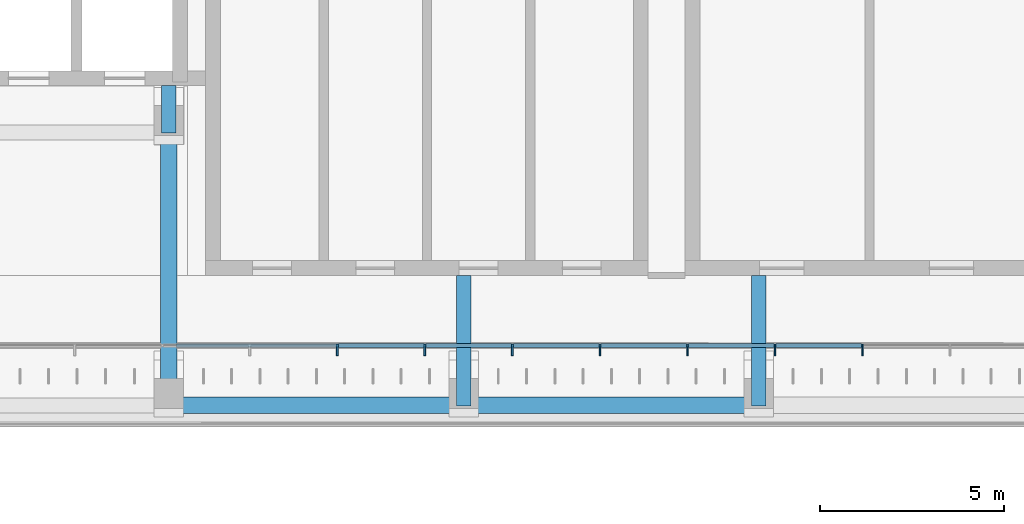
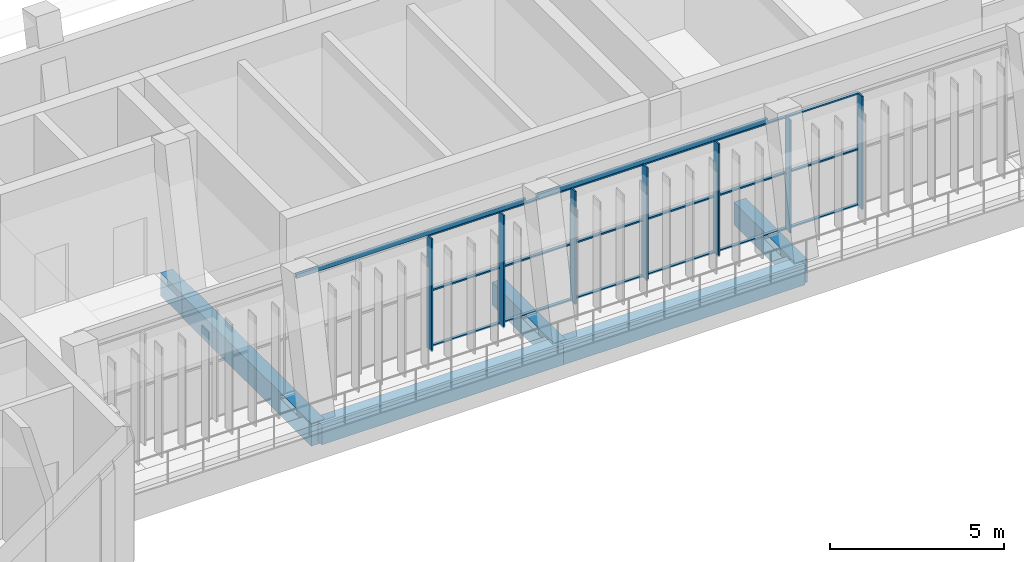
# One storey, part 33 of 89: 25 members, 8 beams, 1 element without a shape of its own.
"""IFC4 building model written with IfcOpenShell, lengths in metres."""

import ifcopenshell
import ifcopenshell.guid

model = None  # the IFC model being written
_history = None  # IfcOwnerHistory: only IFC2X3 demands one
_inside = {}  # id of a spatial element -> (the spatial element, [elements in it])
_under = {}  # id of a project, library or spatial element -> (it, [spatial elements below it])
_declared = {}  # id of a project -> (the project, [libraries it declares])
_typed = {}  # id of a type object -> (the type object, [elements of that type])
_made_of = {}  # id of a material, layer set ... -> (it, [elements and type objects made of it])


def new_model(schema):
    """Start an empty IFC model of exactly this schema.

    Asked for "IFC4X3", IfcOpenShell would pick the latest addendum, in which some entities
    have other attributes; the version numbers below select the first issue.
    IFC2X3 requires an IfcOwnerHistory on every rooted entity: one is made here for all.
    """
    global model, _history
    if schema == "IFC4X3":
        model = ifcopenshell.file(schema_version=(4, 3, 0, 0))
    else:
        model = ifcopenshell.file(schema=schema)
    _inside.clear()
    _under.clear()
    _declared.clear()
    _typed.clear()
    _made_of.clear()
    _history = None
    if model.schema == "IFC2X3":
        org = make("IfcOrganization", Name="unknown")
        user = make(
            "IfcPersonAndOrganization",
            ThePerson=make("IfcPerson", FamilyName="unknown"),
            TheOrganization=org,
        )
        app = make(
            "IfcApplication",
            ApplicationDeveloper=org,
            Version="unknown",
            ApplicationFullName="unknown",
            ApplicationIdentifier="unknown",
        )
        _history = make(
            "IfcOwnerHistory",
            OwningUser=user,
            OwningApplication=app,
            ChangeAction="ADDED",
            CreationDate=0,
        )
    return model


def make(cls, **values):
    """One entity of the class cls with the attributes given. An attribute that is None is left unset."""
    return model.create_entity(
        cls, **{name: value for name, value in values.items() if value is not None}
    )


def rooted(cls, **values):
    """An entity with a GlobalId (a new one), such as an element, a storey or a relation."""
    return make(cls, GlobalId=ifcopenshell.guid.new(), OwnerHistory=_history, **values)


def si_unit(unit_type, name, prefix=None):
    """IfcSIUnit, for example si_unit("LENGTHUNIT", "METRE", prefix="MILLI")."""
    return make("IfcSIUnit", UnitType=unit_type, Prefix=prefix, Name=name)


def assignment(units):
    """IfcUnitAssignment: the units of a project."""
    return None if units is None else make("IfcUnitAssignment", Units=units)


def point(xyz):
    """IfcCartesianPoint."""
    return None if xyz is None else make("IfcCartesianPoint", Coordinates=xyz)


def direction(xyz):
    """IfcDirection."""
    return None if xyz is None else make("IfcDirection", DirectionRatios=xyz)


def frame(location, z_axis=None, x_axis=None):
    """IfcAxis2Placement3D, a coordinate frame: its origin and axes. An axis left out is left unset."""
    return make(
        "IfcAxis2Placement3D",
        Location=point(location),
        Axis=direction(z_axis),
        RefDirection=direction(x_axis),
    )


def frame_2d(location, x_axis=None):
    """IfcAxis2Placement2D, a coordinate frame in the plane: its origin and x axis."""
    return make(
        "IfcAxis2Placement2D", Location=point(location), RefDirection=direction(x_axis)
    )


def origin():
    """The frame at (0, 0, 0) with its axes left unset."""
    return frame((0.0, 0.0, 0.0))


def origin_2d():
    """The frame at (0, 0) in the plane with its x axis left unset."""
    return frame_2d((0.0, 0.0))


def place(relative_to, where):
    """IfcLocalPlacement: puts the frame where relative to a parent placement (None: the world)."""
    return make(
        "IfcLocalPlacement", PlacementRelTo=relative_to, RelativePlacement=where
    )


def context(
    kind, dimensions, precision=None, world=None, true_north=None, identifier=None
):
    """IfcGeometricRepresentationContext, for example the 3D "Model" context."""
    return make(
        "IfcGeometricRepresentationContext",
        ContextIdentifier=identifier,
        ContextType=kind,
        CoordinateSpaceDimension=dimensions,
        Precision=precision,
        WorldCoordinateSystem=world,
        TrueNorth=true_north,
    )


def subcontext(parent, identifier, kind, view, scale=None):
    """IfcGeometricRepresentationSubContext, for example "Body" below "Model"."""
    return make(
        "IfcGeometricRepresentationSubContext",
        ContextIdentifier=identifier,
        ContextType=kind,
        ParentContext=parent,
        TargetScale=scale,
        TargetView=view,
    )


def project(units=None, contexts=None):
    """IfcProject with its units and contexts."""
    return rooted(
        "IfcProject",
        Name="project",
        RepresentationContexts=contexts,
        UnitsInContext=assignment(units),
    )


def spatial(cls, under=None, at=None, **own):
    """A site, building, storey or space (cls), placed at a placement, below another one or the project."""
    s = rooted(cls, ObjectPlacement=at, **own)
    if under is not None:
        _under.setdefault(under.id(), (under, []))[1].append(s)
    return s


def profile(cls, at=None, kind="AREA", **sizes):
    """A parametric profile (cls). Its sizes go by their IFC names, for example OverallWidth=200.0."""
    return make(cls, ProfileType=kind, Position=at, **sizes)


def rectangle(**sizes):
    """IfcRectangleProfileDef."""
    return profile("IfcRectangleProfileDef", **sizes)


def hollow_rectangle(**sizes):
    """IfcRectangleHollowProfileDef."""
    return profile("IfcRectangleHollowProfileDef", **sizes)


def extrude(swept, where, along, depth):
    """IfcExtrudedAreaSolid: the profile swept, set in the frame where, extruded along a direction by depth."""
    return make(
        "IfcExtrudedAreaSolid",
        SweptArea=swept,
        Position=where,
        ExtrudedDirection=direction(along),
        Depth=depth,
    )


def shape(context_of_items, identifier, shape_type, items):
    """IfcShapeRepresentation: the items that make up one representation, for example the "Body"."""
    return make(
        "IfcShapeRepresentation",
        ContextOfItems=context_of_items,
        RepresentationIdentifier=identifier,
        RepresentationType=shape_type,
        Items=items,
    )


def material(Name=None, Category=None):
    """IfcMaterial."""
    return make("IfcMaterial", Name=Name, Category=Category)


def material_profile(
    of_material, cross_section, Name=None, Category=None, Priority=None
):
    """IfcMaterialProfile: a cross section and its material."""
    return make(
        "IfcMaterialProfile",
        Name=Name,
        Material=of_material,
        Profile=cross_section,
        Priority=Priority,
        Category=Category,
    )


def profile_set(profiles, Name=None, composite=None):
    """IfcMaterialProfileSet."""
    return make(
        "IfcMaterialProfileSet",
        Name=Name,
        MaterialProfiles=profiles,
        CompositeProfile=composite,
    )


def made_of(thing, what):
    """Note that an element or type object is made of a material, layer set ...; save() writes the relation."""
    if what is not None:
        _made_of.setdefault(what.id(), (what, []))[1].append(thing)
    return thing


def type_object(cls, material=None, **own):
    """A type object (cls), such as IfcWallType, which elements share."""
    return made_of(rooted(cls, **own), material)


def element(
    cls,
    number,
    at=None,
    inside=None,
    cuts=None,
    type_object=None,
    material=None,
    context=None,
    identifier="Body",
    shape_type=None,
    held_by="IfcProductDefinitionShape",
    body=None,
    shapes=None,
    **own,
):
    """One element of the class cls, such as IfcWall. Its Tag is "e" and its number.

    at: its placement. inside: the storey or other place that contains it. cuts: it is an
    opening in that element (IfcRelVoidsElement). A single representation is given by context,
    identifier, shape_type and body (its items); several are given by shapes. held_by: the class
    of the entity that holds the representations. save() writes the other relations.
    """
    e = rooted(cls, Tag="e%d" % number, ObjectPlacement=at, **own)
    if body is not None:
        shapes = [shape(context, identifier, shape_type, body)]
    if shapes is not None:
        e.Representation = make(held_by, Representations=shapes)
    if inside is not None:
        _inside.setdefault(inside.id(), (inside, []))[1].append(e)
    if cuts is not None:
        rooted(
            "IfcRelVoidsElement", RelatingBuildingElement=cuts, RelatedOpeningElement=e
        )
    if type_object is not None:
        _typed.setdefault(type_object.id(), (type_object, []))[1].append(e)
    return made_of(e, material)


def aggregate(whole, parts):
    """IfcRelAggregates: a whole, such as a stair, and the parts it consists of."""
    return rooted("IfcRelAggregates", RelatingObject=whole, RelatedObjects=parts)


def save(model, path):
    """Write the relations noted so far, then the file.

    IfcRelAggregates (storeys below a building ...), IfcRelContainedInSpatialStructure (elements
    in a storey), IfcRelDefinesByType, IfcRelAssociatesMaterial and IfcRelDeclares: one each for
    every whole, place, type object, material and project.
    """
    for whole, parts in _under.values():
        aggregate(whole, parts)
    for where, things in _inside.values():
        rooted(
            "IfcRelContainedInSpatialStructure",
            RelatedElements=things,
            RelatingStructure=where,
        )
    for kind, things in _typed.values():
        rooted("IfcRelDefinesByType", RelatedObjects=things, RelatingType=kind)
    for what, things in _made_of.values():
        rooted("IfcRelAssociatesMaterial", RelatedObjects=things, RelatingMaterial=what)
    for by, libraries in _declared.values():
        rooted("IfcRelDeclares", RelatingContext=by, RelatedDefinitions=libraries)
    model.write(path)


model = new_model("IFC4")

# Units and contexts
model_context = context("Model", 3, precision=1e-05, world=origin(), true_north=direction((0.0, 1.0)))
body_context = subcontext(model_context, "Body", "Model", "MODEL_VIEW")
ifc_project = project(units=[si_unit("LENGTHUNIT", "METRE"), si_unit("AREAUNIT", "SQUARE_METRE"), si_unit("VOLUMEUNIT", "CUBIC_METRE"), si_unit("PLANEANGLEUNIT", "RADIAN"), si_unit("MASSUNIT", "GRAM", prefix="KILO")], contexts=[model_context])

# Site, building, storey
site_placement = place(None, origin())
site = spatial("IfcSite", under=ifc_project, at=site_placement, CompositionType="ELEMENT")
building_placement = place(site_placement, origin())
building = spatial("IfcBuilding", under=site, at=building_placement, Name="Lantern Court Media Centre", CompositionType="ELEMENT")
storey_placement = place(building_placement, frame((0.0, 0.0, 14.39990234375)))
storey = spatial("IfcBuildingStorey", under=building, at=storey_placement, Name="L03", CompositionType="ELEMENT", Elevation=14.39990234375)

# Curtain wall, members
ifc_material_1 = material(Name="Curtain wall bay 2400")
curtain_wall_type = type_object("IfcCurtainWallType", Name="Curtain wall bay 2400", PredefinedType="NOTDEFINED", material=ifc_material_1)
curtain_wall_placement = place(storey_placement, origin())
curtain_wall = element("IfcCurtainWall", 1, at=curtain_wall_placement, inside=storey, type_object=curtain_wall_type, Name="Curtain wall N inner L03", PredefinedType="NOTDEFINED")
ifc_material_2 = material(Name="Anodised aluminium", Category="aluminium")
ifc_material_profile_1 = material_profile(ifc_material_2, rectangle(XDim=0.300048828125, YDim=0.050048828125, at=origin_2d()), Name="AL 50x300")
ifc_profile_set_1 = profile_set([ifc_material_profile_1], Name="Anodised aluminium")
member_type_1 = type_object("IfcMemberType", Name="Curtain wall mullion 50x300", PredefinedType="MULLION", material=ifc_profile_set_1)
member_1_placement = place(storey_placement, frame((36.569580078125, 101.030029296875, 0.0), z_axis=(0.0, 0.0, 1.0), x_axis=(0.0, 1.0, 0.0)))
member_1 = element("IfcMember", 2, at=member_1_placement, type_object=member_type_1, Name="CW2 mullion 6", PredefinedType="MULLION", context=body_context, shape_type="SweptSolid", body=[
    extrude(rectangle(XDim=0.300048828125, YDim=0.050048828125, at=origin_2d()), origin(), (0.0, 0.0, 1.0), 3.9501953125),
])
member_2_placement = place(storey_placement, frame((38.943359375, 101.030029296875, 0.0), z_axis=(0.0, 0.0, 1.0), x_axis=(0.0, 1.0, 0.0)))
member_2 = element("IfcMember", 3, at=member_2_placement, type_object=member_type_1, Name="CW2 mullion 7", PredefinedType="MULLION", context=body_context, shape_type="SweptSolid", body=[
    extrude(rectangle(XDim=0.300048828125, YDim=0.050048828125, at=origin_2d()), origin(), (0.0, 0.0, 1.0), 3.9501953125),
])
member_3_placement = place(storey_placement, frame((41.3173828125, 101.030029296875, 0.0), z_axis=(0.0, 0.0, 1.0), x_axis=(0.0, 1.0, 0.0)))
member_3 = element("IfcMember", 4, at=member_3_placement, type_object=member_type_1, Name="CW2 mullion 8", PredefinedType="MULLION", context=body_context, shape_type="SweptSolid", body=[
    extrude(rectangle(XDim=0.300048828125, YDim=0.050048828125, at=origin_2d()), origin(), (0.0, 0.0, 1.0), 3.9501953125),
])
member_4_placement = place(storey_placement, frame((43.69140625, 101.030029296875, 0.0), z_axis=(0.0, 0.0, 1.0), x_axis=(0.0, 1.0, 0.0)))
member_4 = element("IfcMember", 5, at=member_4_placement, type_object=member_type_1, Name="CW2 mullion 9", PredefinedType="MULLION", context=body_context, shape_type="SweptSolid", body=[
    extrude(rectangle(XDim=0.300048828125, YDim=0.050048828125, at=origin_2d()), origin(), (0.0, 0.0, 1.0), 3.9501953125),
])
member_5_placement = place(storey_placement, frame((46.065185546875, 101.030029296875, 0.0), z_axis=(0.0, 0.0, 1.0), x_axis=(0.0, 1.0, 0.0)))
member_5 = element("IfcMember", 6, at=member_5_placement, type_object=member_type_1, Name="CW2 mullion 10", PredefinedType="MULLION", context=body_context, shape_type="SweptSolid", body=[
    extrude(rectangle(XDim=0.300048828125, YDim=0.050048828125, at=origin_2d()), origin(), (0.0, 0.0, 1.0), 3.9501953125),
])
member_6_placement = place(storey_placement, frame((48.439208984375, 101.030029296875, 0.0), z_axis=(0.0, 0.0, 1.0), x_axis=(0.0, 1.0, 0.0)))
member_6 = element("IfcMember", 7, at=member_6_placement, type_object=member_type_1, Name="CW2 mullion 11", PredefinedType="MULLION", context=body_context, shape_type="SweptSolid", body=[
    extrude(rectangle(XDim=0.300048828125, YDim=0.050048828125, at=origin_2d()), origin(), (0.0, 0.0, 1.0), 3.9501953125),
])
member_7_placement = place(storey_placement, frame((50.81298828125, 101.030029296875, 0.0), z_axis=(0.0, 0.0, 1.0), x_axis=(0.0, 1.0, 0.0)))
member_7 = element("IfcMember", 8, at=member_7_placement, type_object=member_type_1, Name="CW2 mullion 12", PredefinedType="MULLION", context=body_context, shape_type="SweptSolid", body=[
    extrude(rectangle(XDim=0.300048828125, YDim=0.050048828125, at=origin_2d()), origin(), (0.0, 0.0, 1.0), 3.9501953125),
])
ifc_material_profile_2 = material_profile(ifc_material_2, rectangle(XDim=0.10009765625, YDim=0.050048828125, at=origin_2d()), Name="AL 50x100")
ifc_profile_set_2 = profile_set([ifc_material_profile_2], Name="Anodised aluminium")
member_type_2 = type_object("IfcMemberType", Name="Curtain wall transom 100x50", PredefinedType="USERDEFINED", material=ifc_profile_set_2)
member_8_placement = place(storey_placement, frame((36.594482421875, 101.14990234375, 0.025146484375), z_axis=(1.0, 0.0, 0.0), x_axis=(0.0, 1.0, 0.0)))
member_8 = element("IfcMember", 9, at=member_8_placement, type_object=member_type_2, Name="CW2 transom 6.1", ObjectType="TRANSOM", PredefinedType="USERDEFINED", context=body_context, shape_type="SweptSolid", body=[
    extrude(rectangle(XDim=0.10009765625, YDim=0.050048828125, at=origin_2d()), origin(), (0.0, 0.0, 1.0), 2.323974609375),
])
member_9_placement = place(storey_placement, frame((36.594482421875, 101.14990234375, 1.97509765625), z_axis=(1.0, 0.0, 0.0), x_axis=(0.0, 1.0, 0.0)))
member_9 = element("IfcMember", 10, at=member_9_placement, type_object=member_type_2, Name="CW2 transom 6.2", ObjectType="TRANSOM", PredefinedType="USERDEFINED", context=body_context, shape_type="SweptSolid", body=[
    extrude(rectangle(XDim=0.10009765625, YDim=0.050048828125, at=origin_2d()), origin(), (0.0, 0.0, 1.0), 2.323974609375),
])
member_10_placement = place(storey_placement, frame((36.594482421875, 101.14990234375, 3.925048828125), z_axis=(1.0, 0.0, 0.0), x_axis=(0.0, 1.0, 0.0)))
member_10 = element("IfcMember", 11, at=member_10_placement, type_object=member_type_2, Name="CW2 transom 6.3", ObjectType="TRANSOM", PredefinedType="USERDEFINED", context=body_context, shape_type="SweptSolid", body=[
    extrude(rectangle(XDim=0.10009765625, YDim=0.050048828125, at=origin_2d()), origin(), (0.0, 0.0, 1.0), 2.323974609375),
])
member_11_placement = place(storey_placement, frame((38.968505859375, 101.14990234375, 0.025146484375), z_axis=(1.0, 0.0, 0.0), x_axis=(0.0, 1.0, 0.0)))
member_11 = element("IfcMember", 12, at=member_11_placement, type_object=member_type_2, Name="CW2 transom 7.1", ObjectType="TRANSOM", PredefinedType="USERDEFINED", context=body_context, shape_type="SweptSolid", body=[
    extrude(rectangle(XDim=0.10009765625, YDim=0.050048828125, at=origin_2d()), origin(), (0.0, 0.0, 1.0), 2.323974609375),
])
member_12_placement = place(storey_placement, frame((38.968505859375, 101.14990234375, 1.97509765625), z_axis=(1.0, 0.0, 0.0), x_axis=(0.0, 1.0, 0.0)))
member_12 = element("IfcMember", 13, at=member_12_placement, type_object=member_type_2, Name="CW2 transom 7.2", ObjectType="TRANSOM", PredefinedType="USERDEFINED", context=body_context, shape_type="SweptSolid", body=[
    extrude(rectangle(XDim=0.10009765625, YDim=0.050048828125, at=origin_2d()), origin(), (0.0, 0.0, 1.0), 2.323974609375),
])
member_13_placement = place(storey_placement, frame((38.968505859375, 101.14990234375, 3.925048828125), z_axis=(1.0, 0.0, 0.0), x_axis=(0.0, 1.0, 0.0)))
member_13 = element("IfcMember", 14, at=member_13_placement, type_object=member_type_2, Name="CW2 transom 7.3", ObjectType="TRANSOM", PredefinedType="USERDEFINED", context=body_context, shape_type="SweptSolid", body=[
    extrude(rectangle(XDim=0.10009765625, YDim=0.050048828125, at=origin_2d()), origin(), (0.0, 0.0, 1.0), 2.323974609375),
])
member_14_placement = place(storey_placement, frame((41.34228515625, 101.14990234375, 0.025146484375), z_axis=(1.0, 0.0, 0.0), x_axis=(0.0, 1.0, 0.0)))
member_14 = element("IfcMember", 15, at=member_14_placement, type_object=member_type_2, Name="CW2 transom 8.1", ObjectType="TRANSOM", PredefinedType="USERDEFINED", context=body_context, shape_type="SweptSolid", body=[
    extrude(rectangle(XDim=0.10009765625, YDim=0.050048828125, at=origin_2d()), origin(), (0.0, 0.0, 1.0), 2.323974609375),
])
member_15_placement = place(storey_placement, frame((41.34228515625, 101.14990234375, 1.97509765625), z_axis=(1.0, 0.0, 0.0), x_axis=(0.0, 1.0, 0.0)))
member_15 = element("IfcMember", 16, at=member_15_placement, type_object=member_type_2, Name="CW2 transom 8.2", ObjectType="TRANSOM", PredefinedType="USERDEFINED", context=body_context, shape_type="SweptSolid", body=[
    extrude(rectangle(XDim=0.10009765625, YDim=0.050048828125, at=origin_2d()), origin(), (0.0, 0.0, 1.0), 2.323974609375),
])
member_16_placement = place(storey_placement, frame((41.34228515625, 101.14990234375, 3.925048828125), z_axis=(1.0, 0.0, 0.0), x_axis=(0.0, 1.0, 0.0)))
member_16 = element("IfcMember", 17, at=member_16_placement, type_object=member_type_2, Name="CW2 transom 8.3", ObjectType="TRANSOM", PredefinedType="USERDEFINED", context=body_context, shape_type="SweptSolid", body=[
    extrude(rectangle(XDim=0.10009765625, YDim=0.050048828125, at=origin_2d()), origin(), (0.0, 0.0, 1.0), 2.323974609375),
])
member_17_placement = place(storey_placement, frame((43.71630859375, 101.14990234375, 0.025146484375), z_axis=(1.0, 0.0, 0.0), x_axis=(0.0, 1.0, 0.0)))
member_17 = element("IfcMember", 18, at=member_17_placement, type_object=member_type_2, Name="CW2 transom 9.1", ObjectType="TRANSOM", PredefinedType="USERDEFINED", context=body_context, shape_type="SweptSolid", body=[
    extrude(rectangle(XDim=0.10009765625, YDim=0.050048828125, at=origin_2d()), origin(), (0.0, 0.0, 1.0), 2.323974609375),
])
member_18_placement = place(storey_placement, frame((43.71630859375, 101.14990234375, 1.97509765625), z_axis=(1.0, 0.0, 0.0), x_axis=(0.0, 1.0, 0.0)))
member_18 = element("IfcMember", 19, at=member_18_placement, type_object=member_type_2, Name="CW2 transom 9.2", ObjectType="TRANSOM", PredefinedType="USERDEFINED", context=body_context, shape_type="SweptSolid", body=[
    extrude(rectangle(XDim=0.10009765625, YDim=0.050048828125, at=origin_2d()), origin(), (0.0, 0.0, 1.0), 2.323974609375),
])
member_19_placement = place(storey_placement, frame((43.71630859375, 101.14990234375, 3.925048828125), z_axis=(1.0, 0.0, 0.0), x_axis=(0.0, 1.0, 0.0)))
member_19 = element("IfcMember", 20, at=member_19_placement, type_object=member_type_2, Name="CW2 transom 9.3", ObjectType="TRANSOM", PredefinedType="USERDEFINED", context=body_context, shape_type="SweptSolid", body=[
    extrude(rectangle(XDim=0.10009765625, YDim=0.050048828125, at=origin_2d()), origin(), (0.0, 0.0, 1.0), 2.323974609375),
])
member_20_placement = place(storey_placement, frame((46.09033203125, 101.14990234375, 0.025146484375), z_axis=(1.0, 0.0, 0.0), x_axis=(0.0, 1.0, 0.0)))
member_20 = element("IfcMember", 21, at=member_20_placement, type_object=member_type_2, Name="CW2 transom 10.1", ObjectType="TRANSOM", PredefinedType="USERDEFINED", context=body_context, shape_type="SweptSolid", body=[
    extrude(rectangle(XDim=0.10009765625, YDim=0.050048828125, at=origin_2d()), origin(), (0.0, 0.0, 1.0), 2.32373046875),
])
member_21_placement = place(storey_placement, frame((46.09033203125, 101.14990234375, 1.97509765625), z_axis=(1.0, 0.0, 0.0), x_axis=(0.0, 1.0, 0.0)))
member_21 = element("IfcMember", 22, at=member_21_placement, type_object=member_type_2, Name="CW2 transom 10.2", ObjectType="TRANSOM", PredefinedType="USERDEFINED", context=body_context, shape_type="SweptSolid", body=[
    extrude(rectangle(XDim=0.10009765625, YDim=0.050048828125, at=origin_2d()), origin(), (0.0, 0.0, 1.0), 2.32373046875),
])
member_22_placement = place(storey_placement, frame((46.09033203125, 101.14990234375, 3.925048828125), z_axis=(1.0, 0.0, 0.0), x_axis=(0.0, 1.0, 0.0)))
member_22 = element("IfcMember", 23, at=member_22_placement, type_object=member_type_2, Name="CW2 transom 10.3", ObjectType="TRANSOM", PredefinedType="USERDEFINED", context=body_context, shape_type="SweptSolid", body=[
    extrude(rectangle(XDim=0.10009765625, YDim=0.050048828125, at=origin_2d()), origin(), (0.0, 0.0, 1.0), 2.32373046875),
])
member_23_placement = place(storey_placement, frame((48.464111328125, 101.14990234375, 0.025146484375), z_axis=(1.0, 0.0, 0.0), x_axis=(0.0, 1.0, 0.0)))
member_23 = element("IfcMember", 24, at=member_23_placement, type_object=member_type_2, Name="CW2 transom 11.1", ObjectType="TRANSOM", PredefinedType="USERDEFINED", context=body_context, shape_type="SweptSolid", body=[
    extrude(rectangle(XDim=0.10009765625, YDim=0.050048828125, at=origin_2d()), origin(), (0.0, 0.0, 1.0), 2.323974609375),
])
member_24_placement = place(storey_placement, frame((48.464111328125, 101.14990234375, 1.97509765625), z_axis=(1.0, 0.0, 0.0), x_axis=(0.0, 1.0, 0.0)))
member_24 = element("IfcMember", 25, at=member_24_placement, type_object=member_type_2, Name="CW2 transom 11.2", ObjectType="TRANSOM", PredefinedType="USERDEFINED", context=body_context, shape_type="SweptSolid", body=[
    extrude(rectangle(XDim=0.10009765625, YDim=0.050048828125, at=origin_2d()), origin(), (0.0, 0.0, 1.0), 2.323974609375),
])
member_25_placement = place(storey_placement, frame((48.464111328125, 101.14990234375, 3.925048828125), z_axis=(1.0, 0.0, 0.0), x_axis=(0.0, 1.0, 0.0)))
member_25 = element("IfcMember", 26, at=member_25_placement, type_object=member_type_2, Name="CW2 transom 11.3", ObjectType="TRANSOM", PredefinedType="USERDEFINED", context=body_context, shape_type="SweptSolid", body=[
    extrude(rectangle(XDim=0.10009765625, YDim=0.050048828125, at=origin_2d()), origin(), (0.0, 0.0, 1.0), 2.323974609375),
])
aggregate(curtain_wall, [member_1, member_2, member_3, member_4, member_5, member_6, member_7, member_8, member_9, member_10, member_11, member_12, member_13, member_14, member_15, member_16, member_17, member_18, member_19, member_20, member_21, member_22, member_23, member_24, member_25])

# Beams
ifc_material_3 = material(Name="Steel S355J2 (EN 10025-2)", Category="steel")
ifc_material_profile_3 = material_profile(ifc_material_3, hollow_rectangle(XDim=0.10009765625, YDim=0.14990234375, WallThickness=0.00634765625, InnerFilletRadius=0.00634765625, OuterFilletRadius=0.009521484375, at=origin_2d()), Name="Facade head lintel RHS 150x100x6.3")
ifc_profile_set_3 = profile_set([ifc_material_profile_3], Name="Steel S355J2 (EN 10025-2)")
beam_type_1 = type_object("IfcBeamType", Name="Facade head lintel RHS 150x100x6.3", PredefinedType="BEAM", material=ifc_profile_set_3)
for number, where, z_axis, x_axis, name in (
    (27, (32.199951171875, 101.14990234375, 4.025146484375), (1.0, 0.0, 0.0), (0.0, 1.0, 0.0), "Facade head lintel N L03"),
    (28, (40.199951171875, 101.14990234375, 4.025146484375), (1.0, 0.0, 0.0), (0.0, 1.0, 0.0), "Facade head lintel N L03"),
):
    element("IfcBeam", number, at=place(storey_placement, frame(where, z_axis=z_axis, x_axis=x_axis)), inside=storey, type_object=beam_type_1, Name=name, PredefinedType="BEAM", context=body_context, shape_type="SweptSolid", body=[
        extrude(hollow_rectangle(XDim=0.10009765625, YDim=0.14990234375, WallThickness=0.00634765625, InnerFilletRadius=0.00634765625, OuterFilletRadius=0.009521484375, at=origin_2d()), origin(), (0.0, 0.0, 1.0), 7.60009765625),
    ])
ifc_material_4 = material(Name="Concrete C35", Category="concrete")
ifc_material_profile_4 = material_profile(ifc_material_4, rectangle(XDim=0.39990234375, YDim=0.800048828125, at=origin_2d()), Name="RC 400x800")
ifc_profile_set_4 = profile_set([ifc_material_profile_4], Name="Concrete C35")
beam_type_2 = type_object("IfcBeamType", Name="RC BEAM 400x800", PredefinedType="BEAM", material=ifc_profile_set_4)
beam_1_placement = place(storey_placement, frame((32.0, 106.916748046875, -0.39990234375), z_axis=(0.0, 1.0, 0.0), x_axis=(-1.0, 0.0, 0.0)))
element("IfcBeam", 29, at=beam_1_placement, inside=storey, type_object=beam_type_2, Name="TB-N-L03-1-2", PredefinedType="BEAM", context=body_context, shape_type="SweptSolid", body=[
    extrude(rectangle(XDim=0.39990234375, YDim=0.800048828125, at=origin_2d()), origin(), (0.0, 0.0, 1.0), 1.283203125),
])
for number, where, z_axis, x_axis, name in (
    (30, (40.0, 99.5166015625, -0.39990234375), (0.0, 1.0, 0.0), (-1.0, 0.0, 0.0), "TB-N-L03-2-1"),
    (31, (48.0, 99.5166015625, -0.39990234375), (0.0, 1.0, 0.0), (-1.0, 0.0, 0.0), "TB-N-L03-3-1"),
):
    element("IfcBeam", number, at=place(storey_placement, frame(where, z_axis=z_axis, x_axis=x_axis)), inside=storey, type_object=beam_type_2, Name=name, PredefinedType="BEAM", context=body_context, shape_type="SweptSolid", body=[
        extrude(rectangle(XDim=0.39990234375, YDim=0.800048828125, at=origin_2d()), origin(), (0.0, 0.0, 1.0), 3.533447265625),
    ])
ifc_material_profile_5 = material_profile(ifc_material_4, rectangle(XDim=0.449951171875, YDim=0.699951171875, at=origin_2d()), Name="RC 450x700")
ifc_profile_set_5 = profile_set([ifc_material_profile_5], Name="Concrete C35")
beam_type_3 = type_object("IfcBeamType", Name="RC BEAM 450x700", PredefinedType="BEAM", material=ifc_profile_set_5)
for number, where, z_axis, x_axis, name in (
    (32, (32.0, 99.527099609375, -0.349853515625), (1.0, 0.0, 0.0), (0.0, 1.0, 0.0), "LB-N-L03-0-1"),
    (33, (40.0, 99.527099609375, -0.349853515625), (1.0, 0.0, 0.0), (0.0, 1.0, 0.0), "LB-N-L03-0-2"),
):
    element("IfcBeam", number, at=place(storey_placement, frame(where, z_axis=z_axis, x_axis=x_axis)), inside=storey, type_object=beam_type_3, Name=name, PredefinedType="BEAM", context=body_context, shape_type="SweptSolid", body=[
        extrude(rectangle(XDim=0.449951171875, YDim=0.699951171875, at=origin_2d()), origin(), (0.0, 0.0, 1.0), 8.0),
    ])
ifc_material_profile_6 = material_profile(ifc_material_4, rectangle(XDim=0.449951171875, YDim=0.800048828125, at=origin_2d()), Name="RC 450x800")
ifc_profile_set_6 = profile_set([ifc_material_profile_6], Name="Concrete C35")
beam_type_4 = type_object("IfcBeamType", Name="RC BEAM 450x800", PredefinedType="BEAM", material=ifc_profile_set_6)
beam_2_placement = place(storey_placement, frame((32.0, 99.5166015625, -0.39990234375), z_axis=(0.0, 1.0, 0.0), x_axis=(-1.0, 0.0, 0.0)))
element("IfcBeam", 34, at=beam_2_placement, inside=storey, type_object=beam_type_4, Name="TB-N-L03-1-1", PredefinedType="BEAM", context=body_context, shape_type="SweptSolid", body=[
    extrude(rectangle(XDim=0.449951171875, YDim=0.800048828125, at=origin_2d()), origin(), (0.0, 0.0, 1.0), 7.400146484375),
])

save(model, "model.ifc")
